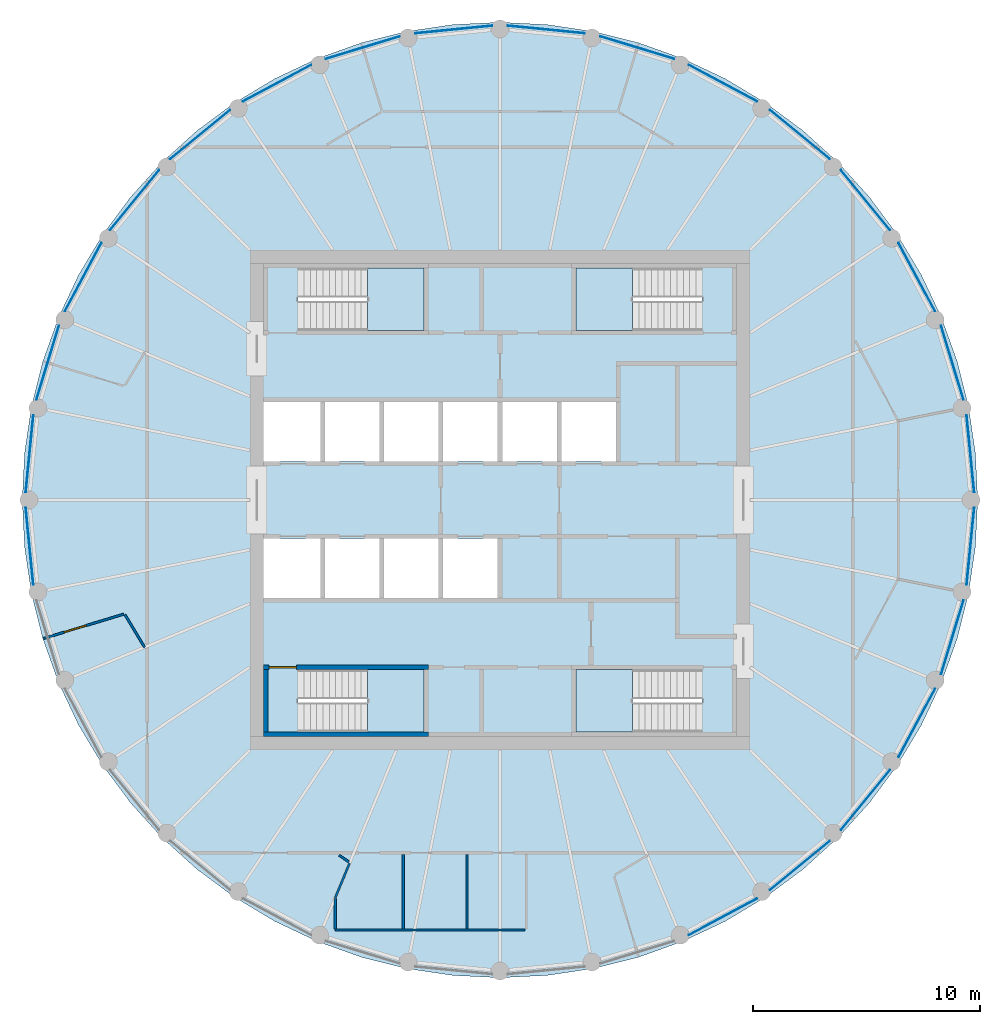
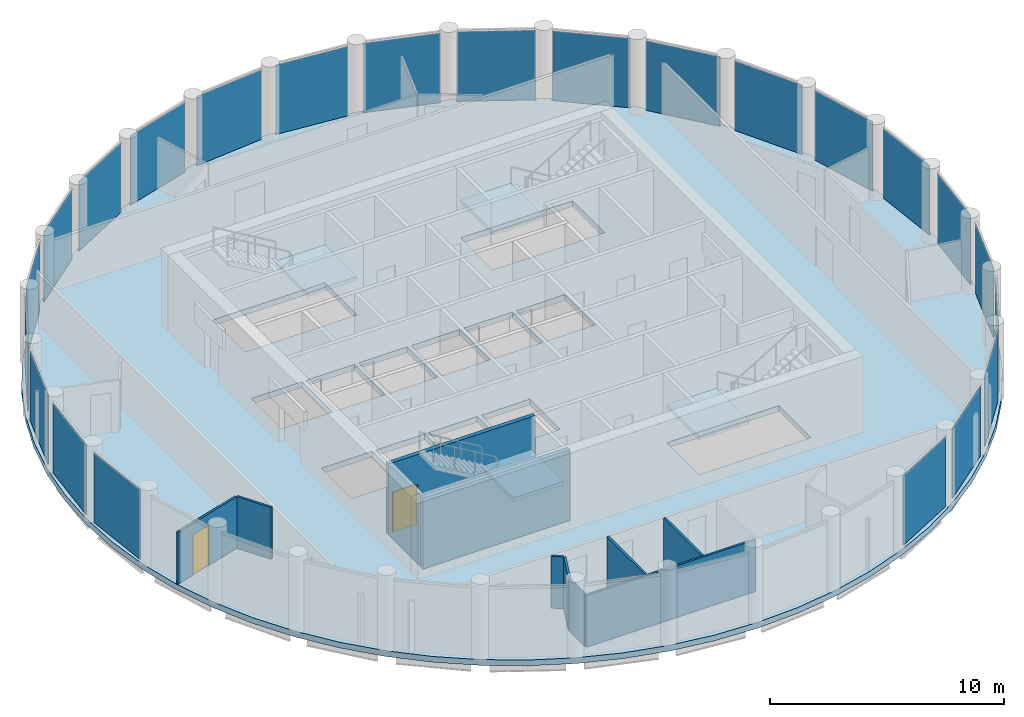
# One storey, part 3 of 7: 23 plates, 11 walls, 5 slabs, 2 doors, 2 openings, 27 elements without a shape of their own.
"""IFC4 building model written with IfcOpenShell, lengths in metres."""

from ifc_helpers import new_model, si_unit, direction, frame, frame_2d, origin, origin_2d, place, context, subcontext, project, spatial, polyline, rectangle, outline, extrude, material, layer, layer_set, type_object, element, fill, aggregate, save


model = new_model("IFC4")

# Units and contexts
model_context = context("Model", 3, precision=1e-05, world=origin(), true_north=direction((0.0, 1.0)))
body_context = subcontext(model_context, "Body", "Model", "MODEL_VIEW")
ifc_project = project(units=[si_unit("LENGTHUNIT", "METRE"), si_unit("AREAUNIT", "SQUARE_METRE"), si_unit("VOLUMEUNIT", "CUBIC_METRE"), si_unit("PLANEANGLEUNIT", "RADIAN"), si_unit("MASSUNIT", "GRAM", prefix="KILO")], contexts=[model_context])

# Site, building, storey
site_placement = place(None, origin())
site = spatial("IfcSite", under=ifc_project, at=site_placement, CompositionType="ELEMENT")
building_placement = place(site_placement, origin())
building = spatial("IfcBuilding", under=site, at=building_placement, Name="Corvane Civic Tower", CompositionType="ELEMENT")
storey_placement = place(building_placement, frame((0.0, 0.0, 372.5)))
storey = spatial("IfcBuildingStorey", under=building, at=storey_placement, Name="L89", CompositionType="ELEMENT", Elevation=372.5)

# Slab
ifc_material_1 = material(Name="Concrete C40/50", Category="concrete")
ifc_layer_1 = layer(ifc_material_1, 0.300048828125)
ifc_layer_set_1 = layer_set([ifc_layer_1], Name="Concrete C40/50")
slab_type_1 = type_object("IfcSlabType", Name="FLOOR SLAB 300", PredefinedType="FLOOR", material=ifc_layer_set_1)
slab_1_placement = place(storey_placement, frame((0.0, 0.0, -0.300048828125)))
element("IfcSlab", 1, at=slab_1_placement, inside=storey, type_object=slab_type_1, Name="SLB-L89", PredefinedType="FLOOR", context=body_context, shape_type="SweptSolid", body=[
    extrude(outline(polyline([(0.0, 21.0), (-2.058349609375, 20.89892578125), (-4.096923828125, 20.596435546875), (-6.095947265625, 20.095703125), (-8.036376953125, 19.4013671875), (-9.8994140625, 18.520263671875), (-11.6669921875, 17.4609375), (-13.322265625, 16.233154296875), (-14.84912109375, 14.84912109375), (-16.233154296875, 13.322265625), (-17.4609375, 11.6669921875), (-18.520263671875, 9.8994140625), (-19.4013671875, 8.036376953125), (-20.095703125, 6.095947265625), (-20.596435546875, 4.096923828125), (-20.89892578125, 2.058349609375), (-21.0, 0.0), (-20.89892578125, -2.058349609375), (-20.596435546875, -4.096923828125), (-20.095703125, -6.095947265625), (-19.4013671875, -8.036376953125), (-18.520263671875, -9.8994140625), (-17.4609375, -11.6669921875), (-16.233154296875, -13.322265625), (-14.84912109375, -14.84912109375), (-13.322265625, -16.233154296875), (-11.6669921875, -17.4609375), (-9.8994140625, -18.520263671875), (-8.036376953125, -19.4013671875), (-6.095947265625, -20.095703125), (-4.096923828125, -20.596435546875), (-2.058349609375, -20.89892578125), (0.0, -21.0), (2.058349609375, -20.89892578125), (4.096923828125, -20.596435546875), (6.095947265625, -20.095703125), (8.036376953125, -19.4013671875), (9.8994140625, -18.520263671875), (11.6669921875, -17.4609375), (13.322265625, -16.233154296875), (14.84912109375, -14.84912109375), (16.233154296875, -13.322265625), (17.4609375, -11.6669921875), (18.520263671875, -9.8994140625), (19.4013671875, -8.036376953125), (20.095703125, -6.095947265625), (20.596435546875, -4.096923828125), (20.89892578125, -2.058349609375), (21.0, 0.0), (20.89892578125, 2.058349609375), (20.596435546875, 4.096923828125), (20.095703125, 6.095947265625), (19.4013671875, 8.036376953125), (18.520263671875, 9.8994140625), (17.4609375, 11.6669921875), (16.233154296875, 13.322265625), (14.84912109375, 14.84912109375), (13.322265625, 16.233154296875), (11.6669921875, 17.4609375), (9.8994140625, 18.520263671875), (8.036376953125, 19.4013671875), (6.095947265625, 20.095703125), (4.096923828125, 20.596435546875), (2.058349609375, 20.89892578125), (0.0, 21.0)]), holes=[polyline([(-10.39990234375, 4.300048828125), (-7.89990234375, 4.300048828125), (-7.89990234375, 1.699951171875), (-10.39990234375, 1.699951171875), (-10.39990234375, 4.300048828125)]), polyline([(-5.300048828125, 1.699951171875), (-7.699951171875, 1.699951171875), (-7.699951171875, 4.300048828125), (-5.300048828125, 4.300048828125), (-5.300048828125, 1.699951171875)]), polyline([(-2.699951171875, 1.699951171875), (-5.10009765625, 1.699951171875), (-5.10009765625, 4.300048828125), (-2.699951171875, 4.300048828125), (-2.699951171875, 1.699951171875)]), polyline([(-0.10009765625, 4.300048828125), (-0.10009765625, 1.699951171875), (-2.5, 1.699951171875), (-2.5, 4.300048828125), (-0.10009765625, 4.300048828125)]), polyline([(2.5, 4.300048828125), (2.5, 1.699951171875), (0.10009765625, 1.699951171875), (0.10009765625, 4.300048828125), (2.5, 4.300048828125)]), polyline([(5.10009765625, 4.300048828125), (5.10009765625, 1.699951171875), (2.699951171875, 1.699951171875), (2.699951171875, 4.300048828125), (5.10009765625, 4.300048828125)]), polyline([(-10.39990234375, -1.699951171875), (-7.89990234375, -1.699951171875), (-7.89990234375, -4.300048828125), (-10.39990234375, -4.300048828125), (-10.39990234375, -1.699951171875)]), polyline([(-5.300048828125, -1.699951171875), (-5.300048828125, -4.300048828125), (-7.699951171875, -4.300048828125), (-7.699951171875, -1.699951171875), (-5.300048828125, -1.699951171875)]), polyline([(-5.10009765625, -4.300048828125), (-5.10009765625, -1.699951171875), (-2.699951171875, -1.699951171875), (-2.699951171875, -4.300048828125), (-5.10009765625, -4.300048828125)]), polyline([(-2.5, -4.300048828125), (-2.5, -1.699951171875), (-0.10009765625, -1.699951171875), (-0.10009765625, -4.300048828125), (-2.5, -4.300048828125)]), polyline([(8.889892578125, 10.199951171875), (8.889892578125, 7.449951171875), (3.35009765625, 7.449951171875), (3.35009765625, 10.199951171875), (8.889892578125, 10.199951171875)]), polyline([(-8.889892578125, 7.449951171875), (-8.889892578125, 10.199951171875), (-3.35009765625, 10.199951171875), (-3.35009765625, 7.449951171875), (-8.889892578125, 7.449951171875)]), polyline([(8.889892578125, -7.449951171875), (8.889892578125, -10.199951171875), (3.35009765625, -10.199951171875), (3.35009765625, -7.449951171875), (8.889892578125, -7.449951171875)]), polyline([(-8.889892578125, -10.199951171875), (-8.889892578125, -7.449951171875), (-3.35009765625, -7.449951171875), (-3.35009765625, -10.199951171875), (-8.889892578125, -10.199951171875)])]), origin(), (0.0, 0.0, 1.0), 0.300048828125),
])

# Stair, slab
ifc_material_2 = material(Name="Concrete C40/50", Category="concrete")
stair_type = type_object("IfcStairType", Name="ST-STAIR-HALFTURN", PredefinedType="HALF_TURN_STAIR", material=ifc_material_2)
stair_1_placement = place(storey_placement, origin())
stair_1 = element("IfcStair", 2, at=stair_1_placement, inside=storey, type_object=stair_type, Name="L89 Exit stair ST1", PredefinedType="HALF_TURN_STAIR")
ifc_material_3 = material(Name="Concrete C40/50", Category="concrete")
ifc_layer_2 = layer(ifc_material_3, 0.199951171875)
ifc_layer_set_2 = layer_set([ifc_layer_2], Name="Concrete C40/50")
slab_type_2 = type_object("IfcSlabType", Name="ST-LANDING-RC", PredefinedType="LANDING", material=ifc_layer_set_2)
slab_2_placement = place(storey_placement, frame((0.0, 0.0, 1.800048828125)))
slab_2 = element("IfcSlab", 3, at=slab_2_placement, type_object=slab_type_2, Name="ST1 landing 1", PredefinedType="LANDING", context=body_context, shape_type="SweptSolid", body=[
    extrude(outline(polyline([(5.820068359375, 10.199951171875), (3.35009765625, 10.199951171875), (3.35009765625, 7.449951171875), (5.820068359375, 7.449951171875), (5.820068359375, 10.199951171875)])), origin(), (0.0, 0.0, 1.0), 0.199951171875),
])
aggregate(stair_1, [slab_2])

stair_2_placement = place(storey_placement, origin())
stair_2 = element("IfcStair", 4, at=stair_2_placement, inside=storey, type_object=stair_type, Name="L89 Exit stair ST2", PredefinedType="HALF_TURN_STAIR")
slab_3_placement = place(storey_placement, frame((0.0, 0.0, 1.800048828125)))
slab_3 = element("IfcSlab", 5, at=slab_3_placement, type_object=slab_type_2, Name="ST2 landing 1", PredefinedType="LANDING", context=body_context, shape_type="SweptSolid", body=[
    extrude(outline(polyline([(5.820068359375, -7.449951171875), (3.35009765625, -7.449951171875), (3.35009765625, -10.199951171875), (5.820068359375, -10.199951171875), (5.820068359375, -7.449951171875)])), origin(), (0.0, 0.0, 1.0), 0.199951171875),
])
aggregate(stair_2, [slab_3])

stair_3_placement = place(storey_placement, origin())
stair_3 = element("IfcStair", 6, at=stair_3_placement, inside=storey, type_object=stair_type, Name="L89 Exit stair ST3", PredefinedType="HALF_TURN_STAIR")
slab_4_placement = place(storey_placement, frame((0.0, 0.0, 1.800048828125)))
slab_4 = element("IfcSlab", 7, at=slab_4_placement, type_object=slab_type_2, Name="ST3 landing 1", PredefinedType="LANDING", context=body_context, shape_type="SweptSolid", body=[
    extrude(outline(polyline([(-5.820068359375, -10.199951171875), (-3.35009765625, -10.199951171875), (-3.35009765625, -7.449951171875), (-5.820068359375, -7.449951171875), (-5.820068359375, -10.199951171875)])), origin(), (0.0, 0.0, 1.0), 0.199951171875),
])
aggregate(stair_3, [slab_4])

stair_4_placement = place(storey_placement, origin())
stair_4 = element("IfcStair", 8, at=stair_4_placement, inside=storey, type_object=stair_type, Name="L89 Exit stair ST4", PredefinedType="HALF_TURN_STAIR")
slab_5_placement = place(storey_placement, frame((0.0, 0.0, 1.800048828125)))
slab_5 = element("IfcSlab", 9, at=slab_5_placement, type_object=slab_type_2, Name="ST4 landing 1", PredefinedType="LANDING", context=body_context, shape_type="SweptSolid", body=[
    extrude(outline(polyline([(-5.820068359375, 7.449951171875), (-3.35009765625, 7.449951171875), (-3.35009765625, 10.199951171875), (-5.820068359375, 10.199951171875), (-5.820068359375, 7.449951171875)])), origin(), (0.0, 0.0, 1.0), 0.199951171875),
])
aggregate(stair_4, [slab_5])

# Curtain wall, plate
ifc_material_4 = material(Name="Anodised aluminium bronze", Category="aluminium")
curtain_wall_type = type_object("IfcCurtainWallType", Name="TOWER CW-T3 STICK CURTAIN WALL", PredefinedType="NOTDEFINED", material=ifc_material_4)
curtain_wall_1_placement = place(storey_placement, origin())
curtain_wall_1 = element("IfcCurtainWall", 10, at=curtain_wall_1_placement, inside=storey, type_object=curtain_wall_type, Name="Curtain wall CW-T3 L89 bay 01", PredefinedType="NOTDEFINED")
ifc_material_5 = material(Name="Tinted glass", Category="glass")
ifc_layer_3 = layer(ifc_material_5, 0.028076171875)
ifc_layer_set_3 = layer_set([ifc_layer_3], Name="Tinted glass")
plate_type = type_object("IfcPlateType", Name="TOWER CW-T3 PANEL IGU28", PredefinedType="CURTAIN_PANEL", material=ifc_layer_set_3)
plate_1_placement = place(storey_placement, frame((2.03662109375, 20.679443359375, 0.0), z_axis=(0.0, 0.0, 1.0), x_axis=(0.995186641028, -0.097997701601, 0.0)))
plate_1 = element("IfcPlate", 11, at=plate_1_placement, type_object=plate_type, Name="Glass panel CW-T3 L89 01.1", PredefinedType="CURTAIN_PANEL", context=body_context, shape_type="SweptSolid", body=[
    extrude(rectangle(XDim=3.402587890625, YDim=0.028076171875, at=origin_2d()), origin(), (0.0, 0.0, 1.0), 3.6298828125),
])
aggregate(curtain_wall_1, [plate_1])

curtain_wall_2_placement = place(storey_placement, origin())
curtain_wall_2 = element("IfcCurtainWall", 12, at=curtain_wall_2_placement, inside=storey, type_object=curtain_wall_type, Name="Curtain wall CW-T3 L89 bay 02", PredefinedType="NOTDEFINED")
plate_2_placement = place(storey_placement, frame((6.031982421875, 19.884765625, 0.0), z_axis=(0.0, 0.0, 1.0), x_axis=(0.956938582641, -0.290290456359, 0.0)))
plate_2 = element("IfcPlate", 13, at=plate_2_placement, type_object=plate_type, Name="Glass panel CW-T3 L89 02.1", PredefinedType="CURTAIN_PANEL", context=body_context, shape_type="SweptSolid", body=[
    extrude(rectangle(XDim=3.40283203125, YDim=0.028076171875, at=origin_2d()), origin(), (0.0, 0.0, 1.0), 3.6298828125),
])
aggregate(curtain_wall_2, [plate_2])

curtain_wall_3_placement = place(storey_placement, origin())
curtain_wall_3 = element("IfcCurtainWall", 14, at=curtain_wall_3_placement, inside=storey, type_object=curtain_wall_type, Name="Curtain wall CW-T3 L89 bay 03", PredefinedType="NOTDEFINED")
plate_3_placement = place(storey_placement, frame((9.79541015625, 18.325927734375, 0.0), z_axis=(0.0, 0.0, 1.0), x_axis=(0.88192824848, -0.471383670202, 0.0)))
plate_3 = element("IfcPlate", 15, at=plate_3_placement, type_object=plate_type, Name="Glass panel CW-T3 L89 03.1", PredefinedType="CURTAIN_PANEL", context=body_context, shape_type="SweptSolid", body=[
    extrude(rectangle(XDim=3.40234375, YDim=0.028076171875, at=origin_2d()), origin(), (0.0, 0.0, 1.0), 3.6298828125),
])
aggregate(curtain_wall_3, [plate_3])

curtain_wall_4_placement = place(storey_placement, origin())
curtain_wall_4 = element("IfcCurtainWall", 16, at=curtain_wall_4_placement, inside=storey, type_object=curtain_wall_type, Name="Curtain wall CW-T3 L89 bay 04", PredefinedType="NOTDEFINED")
plate_4_placement = place(storey_placement, frame((13.182373046875, 16.062744140625, 0.0), z_axis=(0.0, 0.0, 1.0), x_axis=(0.773010369391, -0.634393386484, 0.0)))
plate_4 = element("IfcPlate", 17, at=plate_4_placement, type_object=plate_type, Name="Glass panel CW-T3 L89 04.1", PredefinedType="CURTAIN_PANEL", context=body_context, shape_type="SweptSolid", body=[
    extrude(rectangle(XDim=3.402587890625, YDim=0.028076171875, at=origin_2d()), origin(), (0.0, 0.0, 1.0), 3.6298828125),
])
aggregate(curtain_wall_4, [plate_4])

curtain_wall_5_placement = place(storey_placement, origin())
curtain_wall_5 = element("IfcCurtainWall", 18, at=curtain_wall_5_placement, inside=storey, type_object=curtain_wall_type, Name="Curtain wall CW-T3 L89 bay 05", PredefinedType="NOTDEFINED")
plate_5_placement = place(storey_placement, frame((16.062744140625, 13.182373046875, 0.0), z_axis=(0.0, 0.0, 1.0), x_axis=(0.634393386484, -0.773010369391, 0.0)))
plate_5 = element("IfcPlate", 19, at=plate_5_placement, type_object=plate_type, Name="Glass panel CW-T3 L89 05.1", PredefinedType="CURTAIN_PANEL", context=body_context, shape_type="SweptSolid", body=[
    extrude(rectangle(XDim=3.402587890625, YDim=0.028076171875, at=origin_2d()), origin(), (0.0, 0.0, 1.0), 3.6298828125),
])
aggregate(curtain_wall_5, [plate_5])

curtain_wall_6_placement = place(storey_placement, origin())
curtain_wall_6 = element("IfcCurtainWall", 20, at=curtain_wall_6_placement, inside=storey, type_object=curtain_wall_type, Name="Curtain wall CW-T3 L89 bay 06", PredefinedType="NOTDEFINED")
plate_6_placement = place(storey_placement, frame((18.325927734375, 9.79541015625, 0.0), z_axis=(0.0, 0.0, 1.0), x_axis=(0.471383670202, -0.88192824848, 0.0)))
plate_6 = element("IfcPlate", 21, at=plate_6_placement, type_object=plate_type, Name="Glass panel CW-T3 L89 06.1", PredefinedType="CURTAIN_PANEL", context=body_context, shape_type="SweptSolid", body=[
    extrude(rectangle(XDim=3.40234375, YDim=0.028076171875, at=origin_2d()), origin(), (0.0, 0.0, 1.0), 3.6298828125),
])
aggregate(curtain_wall_6, [plate_6])

curtain_wall_7_placement = place(storey_placement, origin())
curtain_wall_7 = element("IfcCurtainWall", 22, at=curtain_wall_7_placement, inside=storey, type_object=curtain_wall_type, Name="Curtain wall CW-T3 L89 bay 07", PredefinedType="NOTDEFINED")
plate_7_placement = place(storey_placement, frame((19.884765625, 6.031982421875, 0.0), z_axis=(0.0, 0.0, 1.0), x_axis=(0.290290456359, -0.956938582641, 0.0)))
plate_7 = element("IfcPlate", 23, at=plate_7_placement, type_object=plate_type, Name="Glass panel CW-T3 L89 07.1", PredefinedType="CURTAIN_PANEL", context=body_context, shape_type="SweptSolid", body=[
    extrude(rectangle(XDim=3.40283203125, YDim=0.028076171875, at=origin_2d()), origin(), (0.0, 0.0, 1.0), 3.6298828125),
])
aggregate(curtain_wall_7, [plate_7])

curtain_wall_8_placement = place(storey_placement, origin())
curtain_wall_8 = element("IfcCurtainWall", 24, at=curtain_wall_8_placement, inside=storey, type_object=curtain_wall_type, Name="Curtain wall CW-T3 L89 bay 08", PredefinedType="NOTDEFINED")
plate_8_placement = place(storey_placement, frame((20.679443359375, 2.03662109375, 0.0), z_axis=(0.0, 0.0, 1.0), x_axis=(0.097997701601, -0.995186641028, 0.0)))
plate_8 = element("IfcPlate", 25, at=plate_8_placement, type_object=plate_type, Name="Glass panel CW-T3 L89 08.1", PredefinedType="CURTAIN_PANEL", context=body_context, shape_type="SweptSolid", body=[
    extrude(rectangle(XDim=3.402587890625, YDim=0.028076171875, at=origin_2d()), origin(), (0.0, 0.0, 1.0), 3.6298828125),
])
aggregate(curtain_wall_8, [plate_8])

curtain_wall_9_placement = place(storey_placement, origin())
curtain_wall_9 = element("IfcCurtainWall", 26, at=curtain_wall_9_placement, inside=storey, type_object=curtain_wall_type, Name="Curtain wall CW-T3 L89 bay 09", PredefinedType="NOTDEFINED")
plate_9_placement = place(storey_placement, frame((20.679443359375, -2.03662109375, 0.0), z_axis=(0.0, 0.0, 1.0), x_axis=(-0.097997701601, -0.995186641028, 0.0)))
plate_9 = element("IfcPlate", 27, at=plate_9_placement, type_object=plate_type, Name="Glass panel CW-T3 L89 09.1", PredefinedType="CURTAIN_PANEL", context=body_context, shape_type="SweptSolid", body=[
    extrude(rectangle(XDim=3.402587890625, YDim=0.028076171875, at=origin_2d()), origin(), (0.0, 0.0, 1.0), 3.6298828125),
])
aggregate(curtain_wall_9, [plate_9])

curtain_wall_10_placement = place(storey_placement, origin())
curtain_wall_10 = element("IfcCurtainWall", 28, at=curtain_wall_10_placement, inside=storey, type_object=curtain_wall_type, Name="Curtain wall CW-T3 L89 bay 10", PredefinedType="NOTDEFINED")
plate_10_placement = place(storey_placement, frame((19.884765625, -6.031982421875, 0.0), z_axis=(0.0, 0.0, 1.0), x_axis=(-0.290290456359, -0.956938582641, 0.0)))
plate_10 = element("IfcPlate", 29, at=plate_10_placement, type_object=plate_type, Name="Glass panel CW-T3 L89 10.1", PredefinedType="CURTAIN_PANEL", context=body_context, shape_type="SweptSolid", body=[
    extrude(rectangle(XDim=3.40283203125, YDim=0.028076171875, at=origin_2d()), origin(), (0.0, 0.0, 1.0), 3.6298828125),
])
aggregate(curtain_wall_10, [plate_10])

curtain_wall_11_placement = place(storey_placement, origin())
curtain_wall_11 = element("IfcCurtainWall", 30, at=curtain_wall_11_placement, inside=storey, type_object=curtain_wall_type, Name="Curtain wall CW-T3 L89 bay 11", PredefinedType="NOTDEFINED")
plate_11_placement = place(storey_placement, frame((18.325927734375, -9.79541015625, 0.0), z_axis=(0.0, 0.0, 1.0), x_axis=(-0.471383670202, -0.88192824848, 0.0)))
plate_11 = element("IfcPlate", 31, at=plate_11_placement, type_object=plate_type, Name="Glass panel CW-T3 L89 11.1", PredefinedType="CURTAIN_PANEL", context=body_context, shape_type="SweptSolid", body=[
    extrude(rectangle(XDim=3.40234375, YDim=0.028076171875, at=origin_2d()), origin(), (0.0, 0.0, 1.0), 3.6298828125),
])
aggregate(curtain_wall_11, [plate_11])

curtain_wall_12_placement = place(storey_placement, origin())
curtain_wall_12 = element("IfcCurtainWall", 32, at=curtain_wall_12_placement, inside=storey, type_object=curtain_wall_type, Name="Curtain wall CW-T3 L89 bay 12", PredefinedType="NOTDEFINED")
plate_12_placement = place(storey_placement, frame((16.062744140625, -13.182373046875, 0.0), z_axis=(0.0, 0.0, 1.0), x_axis=(-0.634393386484, -0.773010369391, 0.0)))
plate_12 = element("IfcPlate", 33, at=plate_12_placement, type_object=plate_type, Name="Glass panel CW-T3 L89 12.1", PredefinedType="CURTAIN_PANEL", context=body_context, shape_type="SweptSolid", body=[
    extrude(rectangle(XDim=3.402587890625, YDim=0.028076171875, at=origin_2d()), origin(), (0.0, 0.0, 1.0), 3.6298828125),
])
aggregate(curtain_wall_12, [plate_12])

curtain_wall_13_placement = place(storey_placement, origin())
curtain_wall_13 = element("IfcCurtainWall", 34, at=curtain_wall_13_placement, inside=storey, type_object=curtain_wall_type, Name="Curtain wall CW-T3 L89 bay 13", PredefinedType="NOTDEFINED")
plate_13_placement = place(storey_placement, frame((13.182373046875, -16.062744140625, 0.0), z_axis=(0.0, 0.0, 1.0), x_axis=(-0.773010369391, -0.634393386484, 0.0)))
plate_13 = element("IfcPlate", 35, at=plate_13_placement, type_object=plate_type, Name="Glass panel CW-T3 L89 13.1", PredefinedType="CURTAIN_PANEL", context=body_context, shape_type="SweptSolid", body=[
    extrude(rectangle(XDim=3.402587890625, YDim=0.028076171875, at=origin_2d()), origin(), (0.0, 0.0, 1.0), 3.6298828125),
])
aggregate(curtain_wall_13, [plate_13])

curtain_wall_14_placement = place(storey_placement, origin())
curtain_wall_14 = element("IfcCurtainWall", 36, at=curtain_wall_14_placement, inside=storey, type_object=curtain_wall_type, Name="Curtain wall CW-T3 L89 bay 14", PredefinedType="NOTDEFINED")
plate_14_placement = place(storey_placement, frame((9.79541015625, -18.325927734375, 0.0), z_axis=(0.0, 0.0, 1.0), x_axis=(-0.88192824848, -0.471383670202, 0.0)))
plate_14 = element("IfcPlate", 37, at=plate_14_placement, type_object=plate_type, Name="Glass panel CW-T3 L89 14.1", PredefinedType="CURTAIN_PANEL", context=body_context, shape_type="SweptSolid", body=[
    extrude(rectangle(XDim=3.40234375, YDim=0.028076171875, at=origin_2d()), origin(), (0.0, 0.0, 1.0), 3.6298828125),
])
aggregate(curtain_wall_14, [plate_14])

curtain_wall_15_placement = place(storey_placement, origin())
curtain_wall_15 = element("IfcCurtainWall", 38, at=curtain_wall_15_placement, inside=storey, type_object=curtain_wall_type, Name="Curtain wall CW-T3 L89 bay 24", PredefinedType="NOTDEFINED")
plate_15_placement = place(storey_placement, frame((-20.679443359375, -2.03662109375, 0.0), z_axis=(0.0, 0.0, 1.0), x_axis=(-0.097997701601, 0.995186641028, 0.0)))
plate_15 = element("IfcPlate", 39, at=plate_15_placement, type_object=plate_type, Name="Glass panel CW-T3 L89 24.1", PredefinedType="CURTAIN_PANEL", context=body_context, shape_type="SweptSolid", body=[
    extrude(rectangle(XDim=3.402587890625, YDim=0.028076171875, at=origin_2d()), origin(), (0.0, 0.0, 1.0), 3.6298828125),
])
aggregate(curtain_wall_15, [plate_15])

curtain_wall_16_placement = place(storey_placement, origin())
curtain_wall_16 = element("IfcCurtainWall", 40, at=curtain_wall_16_placement, inside=storey, type_object=curtain_wall_type, Name="Curtain wall CW-T3 L89 bay 25", PredefinedType="NOTDEFINED")
plate_16_placement = place(storey_placement, frame((-20.679443359375, 2.03662109375, 0.0), z_axis=(0.0, 0.0, 1.0), x_axis=(0.097997701601, 0.995186641028, 0.0)))
plate_16 = element("IfcPlate", 41, at=plate_16_placement, type_object=plate_type, Name="Glass panel CW-T3 L89 25.1", PredefinedType="CURTAIN_PANEL", context=body_context, shape_type="SweptSolid", body=[
    extrude(rectangle(XDim=3.402587890625, YDim=0.028076171875, at=origin_2d()), origin(), (0.0, 0.0, 1.0), 3.6298828125),
])
aggregate(curtain_wall_16, [plate_16])

curtain_wall_17_placement = place(storey_placement, origin())
curtain_wall_17 = element("IfcCurtainWall", 42, at=curtain_wall_17_placement, inside=storey, type_object=curtain_wall_type, Name="Curtain wall CW-T3 L89 bay 26", PredefinedType="NOTDEFINED")
plate_17_placement = place(storey_placement, frame((-19.884765625, 6.031982421875, 0.0), z_axis=(0.0, 0.0, 1.0), x_axis=(0.290290456359, 0.956938582641, 0.0)))
plate_17 = element("IfcPlate", 43, at=plate_17_placement, type_object=plate_type, Name="Glass panel CW-T3 L89 26.1", PredefinedType="CURTAIN_PANEL", context=body_context, shape_type="SweptSolid", body=[
    extrude(rectangle(XDim=3.40283203125, YDim=0.028076171875, at=origin_2d()), origin(), (0.0, 0.0, 1.0), 3.6298828125),
])
aggregate(curtain_wall_17, [plate_17])

curtain_wall_18_placement = place(storey_placement, origin())
curtain_wall_18 = element("IfcCurtainWall", 44, at=curtain_wall_18_placement, inside=storey, type_object=curtain_wall_type, Name="Curtain wall CW-T3 L89 bay 27", PredefinedType="NOTDEFINED")
plate_18_placement = place(storey_placement, frame((-18.325927734375, 9.79541015625, 0.0), z_axis=(0.0, 0.0, 1.0), x_axis=(0.471383670202, 0.88192824848, 0.0)))
plate_18 = element("IfcPlate", 45, at=plate_18_placement, type_object=plate_type, Name="Glass panel CW-T3 L89 27.1", PredefinedType="CURTAIN_PANEL", context=body_context, shape_type="SweptSolid", body=[
    extrude(rectangle(XDim=3.40234375, YDim=0.028076171875, at=origin_2d()), origin(), (0.0, 0.0, 1.0), 3.6298828125),
])
aggregate(curtain_wall_18, [plate_18])

curtain_wall_19_placement = place(storey_placement, origin())
curtain_wall_19 = element("IfcCurtainWall", 46, at=curtain_wall_19_placement, inside=storey, type_object=curtain_wall_type, Name="Curtain wall CW-T3 L89 bay 28", PredefinedType="NOTDEFINED")
plate_19_placement = place(storey_placement, frame((-16.062744140625, 13.182373046875, 0.0), z_axis=(0.0, 0.0, 1.0), x_axis=(0.634393386484, 0.773010369391, 0.0)))
plate_19 = element("IfcPlate", 47, at=plate_19_placement, type_object=plate_type, Name="Glass panel CW-T3 L89 28.1", PredefinedType="CURTAIN_PANEL", context=body_context, shape_type="SweptSolid", body=[
    extrude(rectangle(XDim=3.402587890625, YDim=0.028076171875, at=origin_2d()), origin(), (0.0, 0.0, 1.0), 3.6298828125),
])
aggregate(curtain_wall_19, [plate_19])

curtain_wall_20_placement = place(storey_placement, origin())
curtain_wall_20 = element("IfcCurtainWall", 48, at=curtain_wall_20_placement, inside=storey, type_object=curtain_wall_type, Name="Curtain wall CW-T3 L89 bay 29", PredefinedType="NOTDEFINED")
plate_20_placement = place(storey_placement, frame((-13.182373046875, 16.062744140625, 0.0), z_axis=(0.0, 0.0, 1.0), x_axis=(0.773010369391, 0.634393386484, 0.0)))
plate_20 = element("IfcPlate", 49, at=plate_20_placement, type_object=plate_type, Name="Glass panel CW-T3 L89 29.1", PredefinedType="CURTAIN_PANEL", context=body_context, shape_type="SweptSolid", body=[
    extrude(rectangle(XDim=3.402587890625, YDim=0.028076171875, at=origin_2d()), origin(), (0.0, 0.0, 1.0), 3.6298828125),
])
aggregate(curtain_wall_20, [plate_20])

curtain_wall_21_placement = place(storey_placement, origin())
curtain_wall_21 = element("IfcCurtainWall", 50, at=curtain_wall_21_placement, inside=storey, type_object=curtain_wall_type, Name="Curtain wall CW-T3 L89 bay 30", PredefinedType="NOTDEFINED")
plate_21_placement = place(storey_placement, frame((-9.79541015625, 18.325927734375, 0.0), z_axis=(0.0, 0.0, 1.0), x_axis=(0.88192824848, 0.471383670202, 0.0)))
plate_21 = element("IfcPlate", 51, at=plate_21_placement, type_object=plate_type, Name="Glass panel CW-T3 L89 30.1", PredefinedType="CURTAIN_PANEL", context=body_context, shape_type="SweptSolid", body=[
    extrude(rectangle(XDim=3.40234375, YDim=0.028076171875, at=origin_2d()), origin(), (0.0, 0.0, 1.0), 3.6298828125),
])
aggregate(curtain_wall_21, [plate_21])

curtain_wall_22_placement = place(storey_placement, origin())
curtain_wall_22 = element("IfcCurtainWall", 52, at=curtain_wall_22_placement, inside=storey, type_object=curtain_wall_type, Name="Curtain wall CW-T3 L89 bay 31", PredefinedType="NOTDEFINED")
plate_22_placement = place(storey_placement, frame((-6.031982421875, 19.884765625, 0.0), z_axis=(0.0, 0.0, 1.0), x_axis=(0.956938582641, 0.290290456359, 0.0)))
plate_22 = element("IfcPlate", 53, at=plate_22_placement, type_object=plate_type, Name="Glass panel CW-T3 L89 31.1", PredefinedType="CURTAIN_PANEL", context=body_context, shape_type="SweptSolid", body=[
    extrude(rectangle(XDim=3.40283203125, YDim=0.028076171875, at=origin_2d()), origin(), (0.0, 0.0, 1.0), 3.6298828125),
])
aggregate(curtain_wall_22, [plate_22])

curtain_wall_23_placement = place(storey_placement, origin())
curtain_wall_23 = element("IfcCurtainWall", 54, at=curtain_wall_23_placement, inside=storey, type_object=curtain_wall_type, Name="Curtain wall CW-T3 L89 bay 32", PredefinedType="NOTDEFINED")
plate_23_placement = place(storey_placement, frame((-2.03662109375, 20.679443359375, 0.0), z_axis=(0.0, 0.0, 1.0), x_axis=(0.995186641028, 0.097997701601, 0.0)))
plate_23 = element("IfcPlate", 55, at=plate_23_placement, type_object=plate_type, Name="Glass panel CW-T3 L89 32.1", PredefinedType="CURTAIN_PANEL", context=body_context, shape_type="SweptSolid", body=[
    extrude(rectangle(XDim=3.402587890625, YDim=0.028076171875, at=origin_2d()), origin(), (0.0, 0.0, 1.0), 3.6298828125),
])
aggregate(curtain_wall_23, [plate_23])

# Walls
ifc_material_6 = material(Name="Plasterboard")
ifc_layer_4 = layer(ifc_material_6, 0.10009765625)
ifc_layer_set_4 = layer_set([ifc_layer_4], Name="Plasterboard")
wall_type_1 = type_object("IfcWallType", Name="Partition 100 plasterboard on studs", PredefinedType="PARTITIONING", material=ifc_layer_set_4)
wall_1_placement = place(storey_placement, frame((-7.24755859375, -18.89990234375, 0.0), z_axis=(0.0, 0.0, 1.0), x_axis=(1.0, 0.0, 0.0)))
element("IfcWall", 56, at=wall_1_placement, inside=storey, type_object=wall_type_1, Name="Partition L89.002", PredefinedType="PARTITIONING", context=body_context, shape_type="SweptSolid", body=[
    extrude(rectangle(XDim=8.349853515625, YDim=0.10009765625, at=frame_2d((4.1748046875, 0.0))), origin(), (0.0, 0.0, 1.0), 2.699951171875),
])
wall_2_placement = place(storey_placement, frame((-7.24755859375, -18.85009765625, 0.0), z_axis=(0.0, 0.0, 1.0), x_axis=(0.0, 1.0, 0.0)))
element("IfcWall", 57, at=wall_2_placement, inside=storey, type_object=wall_type_1, Name="Partition L89.003", PredefinedType="PARTITIONING", context=body_context, shape_type="SweptSolid", body=[
    extrude(rectangle(XDim=1.343017578125, YDim=0.10009765625, at=frame_2d((0.67138671875, 0.0))), origin(), (0.0, 0.0, 1.0), 2.699951171875),
])
for number, where, z_axis, x_axis, name in (
    (58, (-4.24755859375, -18.85009765625, 0.0), (0.0, 0.0, 1.0), (0.0, 1.0, 0.0), "Partition L89.004"),
    (59, (-1.447509765625, -18.85009765625, 0.0), (0.0, 0.0, 1.0), (0.0, 1.0, 0.0), "Partition L89.005"),
):
    element("IfcWall", number, at=place(storey_placement, frame(where, z_axis=z_axis, x_axis=x_axis)), inside=storey, type_object=wall_type_1, Name=name, PredefinedType="PARTITIONING", context=body_context, shape_type="SweptSolid", body=[
        extrude(rectangle(XDim=3.275146484375, YDim=0.10009765625, at=frame_2d((1.6376953125, 0.0))), origin(), (0.0, 0.0, 1.0), 2.699951171875),
    ])
wall_3_placement = place(storey_placement, frame((-7.243896484375, -17.488037109375, 0.0), z_axis=(0.0, 0.0, 1.0), x_axis=(0.382820085528, 0.923822917077, 0.0)))
element("IfcWall", 60, at=wall_3_placement, inside=storey, type_object=wall_type_1, Name="Partition L89.007", PredefinedType="PARTITIONING", context=body_context, shape_type="SweptSolid", body=[
    extrude(rectangle(XDim=1.64208984375, YDim=0.10009765625, at=frame_2d((0.821044921875, 0.0))), origin(), (0.0, 0.0, 1.0), 2.699951171875),
])
wall_4_placement = place(storey_placement, frame((-7.072998046875, -15.61669921875, 0.0), z_axis=(0.0, 0.0, 1.0), x_axis=(0.831481006768, -0.555553179619, 0.0)))
element("IfcWall", 61, at=wall_4_placement, inside=storey, type_object=wall_type_1, Name="Partition L89.009", PredefinedType="PARTITIONING", context=body_context, shape_type="SweptSolid", body=[
    extrude(rectangle(XDim=0.5283203125, YDim=0.10009765625, at=frame_2d((0.26416015625, 0.0))), origin(), (0.0, 0.0, 1.0), 2.699951171875),
])
wall_5_placement = place(storey_placement, frame((-16.483154296875, -5.03955078125, 0.0), z_axis=(0.0, 0.0, 1.0), x_axis=(0.514090385025, -0.857736017679, 0.0)))
element("IfcWall", 62, at=wall_5_placement, inside=storey, type_object=wall_type_1, Name="Partition L89.014", PredefinedType="PARTITIONING", context=body_context, shape_type="SweptSolid", body=[
    extrude(rectangle(XDim=1.68310546875, YDim=0.10009765625, at=frame_2d((0.841552734375, 0.0))), origin(), (0.0, 0.0, 1.0), 2.699951171875),
])

# Wall, opening, door
wall_6_placement = place(storey_placement, frame((-20.048095703125, -6.08154296875, 0.0), z_axis=(0.0, 0.0, 1.0), x_axis=(0.956943699476, 0.290273588245, 0.0)))
wall_6 = element("IfcWall", 63, at=wall_6_placement, inside=storey, type_object=wall_type_1, Name="Partition L89.015", PredefinedType="PARTITIONING", context=body_context, shape_type="SweptSolid", body=[
    extrude(rectangle(XDim=3.665283203125, YDim=0.10009765625, at=frame_2d((1.83251953125, 0.0))), origin(), (0.0, 0.0, 1.0), 2.699951171875),
])
opening_1_placement = place(wall_6_placement, frame((0.9326171875, 0.0, 0.0)))
opening_1 = element("IfcOpeningElement", 64, at=opening_1_placement, cuts=wall_6, Name="Opening L89.015", PredefinedType="OPENING", context=body_context, shape_type="SweptSolid", body=[
    extrude(rectangle(XDim=1.0, YDim=2.10009765625, at=frame_2d((0.5, 1.050048828125))), frame((0.0, 0.06005859375, 0.0), z_axis=(0.0, -1.0, 0.0), x_axis=(1.0, 0.0, 0.0)), (0.0, 0.0, 1.0), 0.1201171875),
])
ifc_material_7 = material(Name="Timber", Category="wood")
door_type_1 = type_object("IfcDoorType", Name="Single door 1000", OperationType="NOTDEFINED", PredefinedType="DOOR", material=ifc_material_7)
door_1_placement = place(opening_1_placement, origin())
door_1 = element("IfcDoor", 65, at=door_1_placement, inside=storey, type_object=door_type_1, Name="Door L89.015", OperationType="SINGLE_SWING_RIGHT", OverallHeight=2.10009765625, OverallWidth=1.0, PredefinedType="DOOR", context=body_context, shape_type="SweptSolid", body=[
    extrude(rectangle(XDim=1.0, YDim=2.10009765625, at=frame_2d((0.5, 1.050048828125))), frame((0.0, 0.02490234375, 0.0), z_axis=(0.0, -1.0, 0.0), x_axis=(1.0, 0.0, 0.0)), (0.0, 0.0, 1.0), 0.050048828125),
])
fill(opening_1, door_1)

ifc_material_8 = material(Name="Concrete C50/60", Category="concrete")
ifc_layer_5 = layer(ifc_material_8, 0.199951171875)
ifc_layer_set_5 = layer_set([ifc_layer_5], Name="Concrete C50/60")
wall_type_2 = type_object("IfcWallType", Name="ST-WALL-200", PredefinedType="SHEAR", material=ifc_layer_set_5)
wall_7_placement = place(storey_placement, frame((-10.39990234375, -7.35009765625, 0.0), z_axis=(0.0, 0.0, 1.0), x_axis=(1.0, 0.0, 0.0)))
wall_7 = element("IfcWall", 66, at=wall_7_placement, inside=storey, type_object=wall_type_2, Name="L89 stair enclosure wall", PredefinedType="SHEAR", context=body_context, shape_type="SweptSolid", body=[
    extrude(rectangle(XDim=7.25, YDim=0.199951171875, at=frame_2d((3.625, 0.0))), origin(), (0.0, 0.0, 1.0), 3.699951171875),
])
opening_2_placement = place(wall_7_placement, frame((0.25, 0.0, 0.0)))
opening_2 = element("IfcOpeningElement", 67, at=opening_2_placement, cuts=wall_7, Name="Opening L89.C13", PredefinedType="OPENING", context=body_context, shape_type="SweptSolid", body=[
    extrude(rectangle(XDim=1.199951171875, YDim=2.10009765625, at=frame_2d((0.60009765625, 1.050048828125))), frame((0.0, 0.10986328125, 0.0), z_axis=(0.0, -1.0, 0.0), x_axis=(1.0, 0.0, 0.0)), (0.0, 0.0, 1.0), 0.219970703125),
])
ifc_material_9 = material(Name="Steel fire door leaf", Category="steel")
door_type_2 = type_object("IfcDoorType", Name="ST-DOOR-1200", OperationType="SINGLE_SWING_RIGHT", PredefinedType="DOOR", material=ifc_material_9)
door_2_placement = place(opening_2_placement, origin())
door_2 = element("IfcDoor", 68, at=door_2_placement, inside=storey, type_object=door_type_2, Name="L89 stair door", OperationType="SINGLE_SWING_RIGHT", OverallHeight=2.10009765625, OverallWidth=1.199951171875, PredefinedType="DOOR", context=body_context, shape_type="SweptSolid", body=[
    extrude(rectangle(XDim=1.199951171875, YDim=2.10009765625, at=frame_2d((0.60009765625, 1.050048828125))), frame((0.0, 0.02490234375, 0.0), z_axis=(0.0, -1.0, 0.0), x_axis=(1.0, 0.0, 0.0)), (0.0, 0.0, 1.0), 0.050048828125),
])
fill(opening_2, door_2)

# Walls
wall_8_placement = place(storey_placement, origin())
element("IfcWall", 69, at=wall_8_placement, inside=storey, type_object=wall_type_2, Name="L89 stair enclosure wall", PredefinedType="SHEAR", context=body_context, shape_type="SweptSolid", body=[
    extrude(outline(polyline([(-3.14990234375, -10.199951171875), (-3.14990234375, -10.39990234375), (-10.39990234375, -10.39990234375), (-10.39990234375, -10.199951171875), (-3.14990234375, -10.199951171875)])), origin(), (0.0, 0.0, 1.0), 3.699951171875),
])
wall_9_placement = place(storey_placement, origin())
element("IfcWall", 70, at=wall_9_placement, inside=storey, type_object=wall_type_2, Name="L89 stair enclosure wall", PredefinedType="SHEAR", context=body_context, shape_type="SweptSolid", body=[
    extrude(outline(polyline([(-10.199951171875, -7.449951171875), (-10.199951171875, -10.199951171875), (-10.39990234375, -10.199951171875), (-10.39990234375, -7.449951171875), (-10.199951171875, -7.449951171875)])), origin(), (0.0, 0.0, 1.0), 3.699951171875),
])

save(model, "model.ifc")
